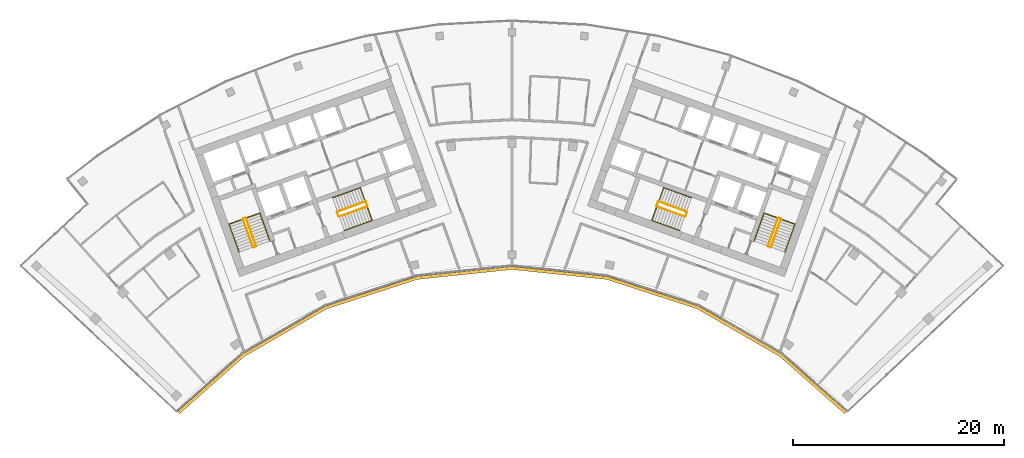
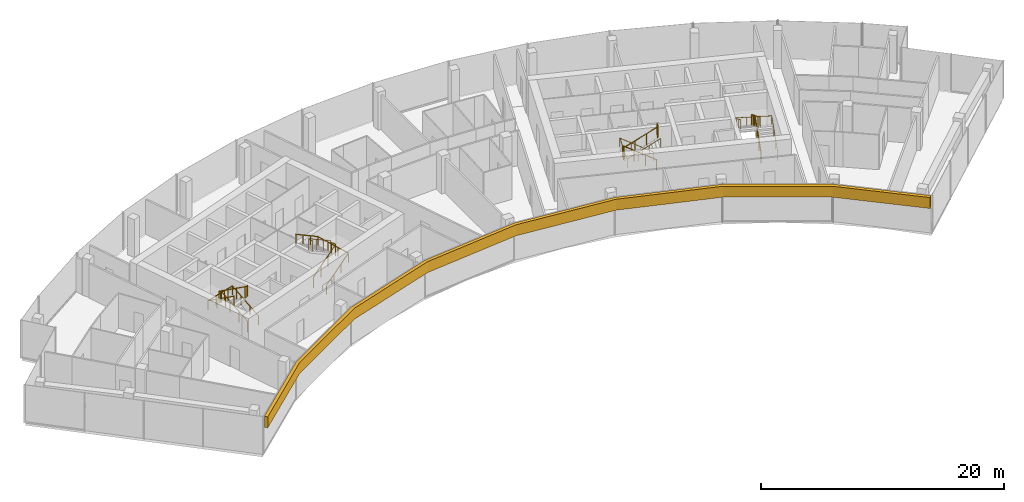
# One storey, part 18 of 18: 12 railings, 1 covering.
"""IFC4 building model written with IfcOpenShell, lengths in metres."""

from ifc_helpers import new_model, si_unit, direction, frame, origin, origin_2d, place, context, subcontext, project, spatial, polyline, circle, outline, extrude, material, layer, layer_set, type_object, element, save


model = new_model("IFC4")

# Units and contexts
model_context = context("Model", 3, precision=1e-05, world=origin(), true_north=direction((0.0, 1.0)))
body_context = subcontext(model_context, "Body", "Model", "MODEL_VIEW")
ifc_project = project(units=[si_unit("LENGTHUNIT", "METRE"), si_unit("AREAUNIT", "SQUARE_METRE"), si_unit("VOLUMEUNIT", "CUBIC_METRE"), si_unit("PLANEANGLEUNIT", "RADIAN"), si_unit("MASSUNIT", "GRAM", prefix="KILO")], contexts=[model_context])

# Site, building, storey
site_placement = place(None, origin())
site = spatial("IfcSite", under=ifc_project, at=site_placement, CompositionType="ELEMENT")
building_placement = place(site_placement, origin())
building = spatial("IfcBuilding", under=site, at=building_placement, Name="Stone Belt Terrace Tower", CompositionType="ELEMENT")
storey_placement = place(building_placement, frame((0.0, 0.0, 277.0)))
storey = spatial("IfcBuildingStorey", under=building, at=storey_placement, Name="L67", CompositionType="ELEMENT", Elevation=277.0)

# Railings
ifc_material_1 = material(Name="Structural steel C345", Category="steel")
railing_type_1 = type_object("IfcRailingType", Name="Stair guard 1100", PredefinedType="GUARDRAIL", material=ifc_material_1)
railing_1_placement = place(storey_placement, frame((-24.2119140625, 45.276123046875, 0.172607421875)))
element("IfcRailing", 1, at=railing_1_placement, inside=storey, type_object=railing_type_1, Name="L67 ST1A stair guard 1", PredefinedType="GUARDRAIL", context=body_context, shape_type="SweptSolid", body=[
    extrude(circle(Radius=0.02392578125, at=origin_2d()), frame((0.0, 0.0, 1.076171875), z_axis=(-0.288228637646, 0.800791768495, 0.525030280985), x_axis=(-0.940908529223, -0.338660803216, 0.0)), (0.0, 0.0, 1.0), 3.289794921875),
    extrude(circle(Radius=0.02392578125, at=origin_2d()), frame((-0.9482421875, 2.634521484375, 2.80322265625), z_axis=(-0.905209821074, 0.424964916, 0.0), x_axis=(-0.424964916, -0.905209821074, 0.0)), (0.0, 0.0, 1.0), 0.070556640625),
    extrude(circle(Radius=0.02392578125, at=origin_2d()), frame((-1.01220703125, 2.66455078125, 2.80322265625), z_axis=(-0.941105063269, -0.338114270461, 0.0), x_axis=(0.338114270461, -0.941105063269, 0.0)), (0.0, 0.0, 1.0), 0.199951171875),
    extrude(circle(Radius=0.02099609375, at=origin_2d()), origin(), (0.0, 0.0, 1.0), 1.052001953125),
    extrude(circle(Radius=0.02099609375, at=origin_2d()), frame((-0.316162109375, 0.878173828125, 0.57568359375)), (0.0, 0.0, 1.0), 1.052001953125),
    extrude(circle(Radius=0.02099609375, at=origin_2d()), frame((-0.632080078125, 1.75634765625, 1.151611328125)), (0.0, 0.0, 1.0), 1.052001953125),
    extrude(circle(Radius=0.02099609375, at=origin_2d()), frame((-0.9482421875, 2.634521484375, 1.727294921875)), (0.0, 0.0, 1.0), 1.052001953125),
    extrude(circle(Radius=0.02099609375, at=origin_2d()), frame((-1.01220703125, 2.66455078125, 1.727294921875)), (0.0, 0.0, 1.0), 1.052001953125),
    extrude(circle(Radius=0.02099609375, at=origin_2d()), frame((-1.200439453125, 2.596923828125, 1.727294921875)), (0.0, 0.0, 1.0), 1.052001953125),
])
railing_2_placement = place(storey_placement, frame((-25.4423828125, 47.80908203125, 2.07275390625)))
element("IfcRailing", 2, at=railing_2_placement, inside=storey, type_object=railing_type_1, Name="L67 ST1A stair guard 2", PredefinedType="GUARDRAIL", context=body_context, shape_type="SweptSolid", body=[
    extrude(circle(Radius=0.02392578125, at=origin_2d()), frame((0.0, 0.0, 1.076171875), z_axis=(0.288228637646, -0.800791768495, 0.525030280985), x_axis=(0.940908529223, 0.338660803216, 0.0)), (0.0, 0.0, 1.0), 3.289794921875),
    extrude(circle(Radius=0.02392578125, at=origin_2d()), frame((0.9482421875, -2.634521484375, 2.80322265625), z_axis=(0.903878284585, -0.427789722475, 0.0), x_axis=(0.427789722475, 0.903878284585, 0.0)), (0.0, 0.0, 1.0), 0.07080078125),
    extrude(circle(Radius=0.02392578125, at=origin_2d()), frame((1.01220703125, -2.664794921875, 2.80322265625), z_axis=(0.940575576748, 0.339584429008, 0.0), x_axis=(-0.339584429008, 0.940575576748, 0.0)), (0.0, 0.0, 1.0), 0.199951171875),
    extrude(circle(Radius=0.02099609375, at=origin_2d()), origin(), (0.0, 0.0, 1.0), 1.052001953125),
    extrude(circle(Radius=0.02099609375, at=origin_2d()), frame((0.316162109375, -0.878173828125, 0.57568359375)), (0.0, 0.0, 1.0), 1.052001953125),
    extrude(circle(Radius=0.02099609375, at=origin_2d()), frame((0.632080078125, -1.75634765625, 1.151611328125)), (0.0, 0.0, 1.0), 1.052001953125),
    extrude(circle(Radius=0.02099609375, at=origin_2d()), frame((0.9482421875, -2.634521484375, 1.727294921875)), (0.0, 0.0, 1.0), 1.052001953125),
    extrude(circle(Radius=0.02099609375, at=origin_2d()), frame((1.01220703125, -2.664794921875, 1.727294921875)), (0.0, 0.0, 1.0), 1.052001953125),
    extrude(circle(Radius=0.02099609375, at=origin_2d()), frame((1.2001953125, -2.596923828125, 1.727294921875)), (0.0, 0.0, 1.0), 1.052001953125),
])
railing_3_placement = place(storey_placement, frame((-16.33837890625, 48.056640625, 0.172607421875)))
element("IfcRailing", 3, at=railing_3_placement, inside=storey, type_object=railing_type_1, Name="L67 ST2A stair guard 1", PredefinedType="GUARDRAIL", context=body_context, shape_type="SweptSolid", body=[
    extrude(circle(Radius=0.02392578125, at=origin_2d()), frame((0.0, 0.0, 1.076171875), z_axis=(0.800808895155, 0.288160591223, 0.52504150989), x_axis=(-0.338583606334, 0.940936311087, 0.0)), (0.0, 0.0, 1.0), 3.289794921875),
    extrude(circle(Radius=0.02392578125, at=origin_2d()), frame((2.634521484375, 0.947998046875, 2.80322265625), z_axis=(0.427789722475, 0.903878284585, 0.0), x_axis=(-0.903878284585, 0.427789722475, 0.0)), (0.0, 0.0, 1.0), 0.07080078125),
    extrude(circle(Radius=0.02392578125, at=origin_2d()), frame((2.664794921875, 1.011962890625, 2.80322265625), z_axis=(-0.338654645739, 0.940910745459, 0.0), x_axis=(-0.940910745459, -0.338654645739, 0.0)), (0.0, 0.0, 1.0), 0.400146484375),
    extrude(circle(Radius=0.02099609375, at=origin_2d()), origin(), (0.0, 0.0, 1.0), 1.052001953125),
    extrude(circle(Radius=0.02099609375, at=origin_2d()), frame((0.878173828125, 0.31591796875, 0.57568359375)), (0.0, 0.0, 1.0), 1.052001953125),
    extrude(circle(Radius=0.02099609375, at=origin_2d()), frame((1.75634765625, 0.632080078125, 1.151611328125)), (0.0, 0.0, 1.0), 1.052001953125),
    extrude(circle(Radius=0.02099609375, at=origin_2d()), frame((2.634521484375, 0.947998046875, 1.727294921875)), (0.0, 0.0, 1.0), 1.052001953125),
    extrude(circle(Radius=0.02099609375, at=origin_2d()), frame((2.664794921875, 1.011962890625, 1.727294921875)), (0.0, 0.0, 1.0), 1.052001953125),
    extrude(circle(Radius=0.02099609375, at=origin_2d()), frame((2.529296875, 1.388427734375, 1.727294921875)), (0.0, 0.0, 1.0), 1.052001953125),
])
railing_4_placement = place(storey_placement, frame((-13.873046875, 49.47509765625, 2.07275390625)))
element("IfcRailing", 4, at=railing_4_placement, inside=storey, type_object=railing_type_1, Name="L67 ST2A stair guard 2", PredefinedType="GUARDRAIL", context=body_context, shape_type="SweptSolid", body=[
    extrude(circle(Radius=0.02392578125, at=origin_2d()), frame((0.0, 0.0, 1.076171875), z_axis=(-0.800808895155, -0.288160591223, 0.52504150989), x_axis=(0.338583606334, -0.940936311087, 0.0)), (0.0, 0.0, 1.0), 3.289794921875),
    extrude(circle(Radius=0.02392578125, at=origin_2d()), frame((-2.634521484375, -0.947998046875, 2.80322265625), z_axis=(-0.427789722475, -0.903878284585, 0.0), x_axis=(0.903878284585, -0.427789722475, 0.0)), (0.0, 0.0, 1.0), 0.07080078125),
    extrude(circle(Radius=0.02392578125, at=origin_2d()), frame((-2.664794921875, -1.011962890625, 2.80322265625), z_axis=(0.338654645739, -0.940910745459, 0.0), x_axis=(0.940910745459, 0.338654645739, 0.0)), (0.0, 0.0, 1.0), 0.400146484375),
    extrude(circle(Radius=0.02099609375, at=origin_2d()), origin(), (0.0, 0.0, 1.0), 1.052001953125),
    extrude(circle(Radius=0.02099609375, at=origin_2d()), frame((-0.878173828125, -0.31591796875, 0.57568359375)), (0.0, 0.0, 1.0), 1.052001953125),
    extrude(circle(Radius=0.02099609375, at=origin_2d()), frame((-1.75634765625, -0.632080078125, 1.151611328125)), (0.0, 0.0, 1.0), 1.052001953125),
    extrude(circle(Radius=0.02099609375, at=origin_2d()), frame((-2.634521484375, -0.947998046875, 1.727294921875)), (0.0, 0.0, 1.0), 1.052001953125),
    extrude(circle(Radius=0.02099609375, at=origin_2d()), frame((-2.664794921875, -1.011962890625, 1.727294921875)), (0.0, 0.0, 1.0), 1.052001953125),
    extrude(circle(Radius=0.02099609375, at=origin_2d()), frame((-2.529296875, -1.388427734375, 1.727294921875)), (0.0, 0.0, 1.0), 1.052001953125),
])
railing_5_placement = place(storey_placement, frame((24.494140625, 45.174560546875, 0.172607421875)))
element("IfcRailing", 5, at=railing_5_placement, inside=storey, type_object=railing_type_1, Name="L67 ST1B stair guard 1", PredefinedType="GUARDRAIL", context=body_context, shape_type="SweptSolid", body=[
    extrude(circle(Radius=0.02392578125, at=origin_2d()), frame((0.0, 0.0, 1.076171875), z_axis=(0.288228637646, 0.800791768495, 0.525030280985), x_axis=(-0.940908529223, 0.338660803216, 0.0)), (0.0, 0.0, 1.0), 3.289794921875),
    extrude(circle(Radius=0.02392578125, at=origin_2d()), frame((0.9482421875, 2.634521484375, 2.80322265625), z_axis=(-0.424964916, 0.905209821074, 0.0), x_axis=(-0.905209821074, -0.424964916, 0.0)), (0.0, 0.0, 1.0), 0.070556640625),
    extrude(circle(Radius=0.02392578125, at=origin_2d()), frame((0.918212890625, 2.698486328125, 2.80322265625), z_axis=(-0.941105063269, 0.338114270461, 0.0), x_axis=(-0.338114270461, -0.941105063269, 0.0)), (0.0, 0.0, 1.0), 0.199951171875),
    extrude(circle(Radius=0.02099609375, at=origin_2d()), origin(), (0.0, 0.0, 1.0), 1.052001953125),
    extrude(circle(Radius=0.02099609375, at=origin_2d()), frame((0.316162109375, 0.878173828125, 0.57568359375)), (0.0, 0.0, 1.0), 1.052001953125),
    extrude(circle(Radius=0.02099609375, at=origin_2d()), frame((0.632080078125, 1.75634765625, 1.151611328125)), (0.0, 0.0, 1.0), 1.052001953125),
    extrude(circle(Radius=0.02099609375, at=origin_2d()), frame((0.9482421875, 2.634521484375, 1.727294921875)), (0.0, 0.0, 1.0), 1.052001953125),
    extrude(circle(Radius=0.02099609375, at=origin_2d()), frame((0.918212890625, 2.698486328125, 1.727294921875)), (0.0, 0.0, 1.0), 1.052001953125),
    extrude(circle(Radius=0.02099609375, at=origin_2d()), frame((0.72998046875, 2.76611328125, 1.727294921875)), (0.0, 0.0, 1.0), 1.052001953125),
])
railing_6_placement = place(storey_placement, frame((25.16015625, 47.91064453125, 2.07275390625)))
element("IfcRailing", 6, at=railing_6_placement, inside=storey, type_object=railing_type_1, Name="L67 ST1B stair guard 2", PredefinedType="GUARDRAIL", context=body_context, shape_type="SweptSolid", body=[
    extrude(circle(Radius=0.02392578125, at=origin_2d()), frame((0.0, 0.0, 1.076171875), z_axis=(-0.288228637646, -0.800791768495, 0.525030280985), x_axis=(0.940908529223, -0.338660803216, 0.0)), (0.0, 0.0, 1.0), 3.289794921875),
    extrude(circle(Radius=0.02392578125, at=origin_2d()), frame((-0.9482421875, -2.634521484375, 2.80322265625), z_axis=(0.427789722475, -0.903878284585, 0.0), x_axis=(0.903878284585, 0.427789722475, 0.0)), (0.0, 0.0, 1.0), 0.07080078125),
    extrude(circle(Radius=0.02392578125, at=origin_2d()), frame((-0.91796875, -2.698486328125, 2.80322265625), z_axis=(0.940575576748, -0.339584429008, 0.0), x_axis=(0.339584429008, 0.940575576748, 0.0)), (0.0, 0.0, 1.0), 0.199951171875),
    extrude(circle(Radius=0.02099609375, at=origin_2d()), origin(), (0.0, 0.0, 1.0), 1.052001953125),
    extrude(circle(Radius=0.02099609375, at=origin_2d()), frame((-0.316162109375, -0.878173828125, 0.57568359375)), (0.0, 0.0, 1.0), 1.052001953125),
    extrude(circle(Radius=0.02099609375, at=origin_2d()), frame((-0.632080078125, -1.75634765625, 1.151611328125)), (0.0, 0.0, 1.0), 1.052001953125),
    extrude(circle(Radius=0.02099609375, at=origin_2d()), frame((-0.9482421875, -2.634521484375, 1.727294921875)), (0.0, 0.0, 1.0), 1.052001953125),
    extrude(circle(Radius=0.02099609375, at=origin_2d()), frame((-0.91796875, -2.698486328125, 1.727294921875)), (0.0, 0.0, 1.0), 1.052001953125),
    extrude(circle(Radius=0.02099609375, at=origin_2d()), frame((-0.72998046875, -2.766357421875, 1.727294921875)), (0.0, 0.0, 1.0), 1.052001953125),
])
railing_7_placement = place(storey_placement, frame((16.507568359375, 48.527099609375, 0.172607421875)))
element("IfcRailing", 7, at=railing_7_placement, inside=storey, type_object=railing_type_1, Name="L67 ST2B stair guard 1", PredefinedType="GUARDRAIL", context=body_context, shape_type="SweptSolid", body=[
    extrude(circle(Radius=0.02392578125, at=origin_2d()), frame((0.0, 0.0, 1.076171875), z_axis=(-0.800808895155, 0.288160591223, 0.52504150989), x_axis=(-0.338583606334, -0.940936311087, 0.0)), (0.0, 0.0, 1.0), 3.289794921875),
    extrude(circle(Radius=0.02392578125, at=origin_2d()), frame((-2.634521484375, 0.947998046875, 2.80322265625), z_axis=(-0.905209821074, -0.424964916, 0.0), x_axis=(0.424964916, -0.905209821074, 0.0)), (0.0, 0.0, 1.0), 0.070556640625),
    extrude(circle(Radius=0.02392578125, at=origin_2d()), frame((-2.698486328125, 0.91796875, 2.80322265625), z_axis=(-0.338654645739, -0.940910745459, 0.0), x_axis=(0.940910745459, -0.338654645739, 0.0)), (0.0, 0.0, 1.0), 0.400146484375),
    extrude(circle(Radius=0.02099609375, at=origin_2d()), origin(), (0.0, 0.0, 1.0), 1.052001953125),
    extrude(circle(Radius=0.02099609375, at=origin_2d()), frame((-0.878173828125, 0.31591796875, 0.57568359375)), (0.0, 0.0, 1.0), 1.052001953125),
    extrude(circle(Radius=0.02099609375, at=origin_2d()), frame((-1.75634765625, 0.632080078125, 1.151611328125)), (0.0, 0.0, 1.0), 1.052001953125),
    extrude(circle(Radius=0.02099609375, at=origin_2d()), frame((-2.634521484375, 0.947998046875, 1.727294921875)), (0.0, 0.0, 1.0), 1.052001953125),
    extrude(circle(Radius=0.02099609375, at=origin_2d()), frame((-2.698486328125, 0.91796875, 1.727294921875)), (0.0, 0.0, 1.0), 1.052001953125),
    extrude(circle(Radius=0.02099609375, at=origin_2d()), frame((-2.833984375, 0.54150390625, 1.727294921875)), (0.0, 0.0, 1.0), 1.052001953125),
])
railing_8_placement = place(storey_placement, frame((13.703857421875, 49.004638671875, 2.07275390625)))
element("IfcRailing", 8, at=railing_8_placement, inside=storey, type_object=railing_type_1, Name="L67 ST2B stair guard 2", PredefinedType="GUARDRAIL", context=body_context, shape_type="SweptSolid", body=[
    extrude(circle(Radius=0.02392578125, at=origin_2d()), frame((0.0, 0.0, 1.076171875), z_axis=(0.800808895155, -0.288160591223, 0.52504150989), x_axis=(0.338583606334, 0.940936311087, 0.0)), (0.0, 0.0, 1.0), 3.289794921875),
    extrude(circle(Radius=0.02392578125, at=origin_2d()), frame((2.634521484375, -0.947998046875, 2.80322265625), z_axis=(0.905209821074, 0.424964916, 0.0), x_axis=(-0.424964916, 0.905209821074, 0.0)), (0.0, 0.0, 1.0), 0.070556640625),
    extrude(circle(Radius=0.02392578125, at=origin_2d()), frame((2.698486328125, -0.91796875, 2.80322265625), z_axis=(0.338654645739, 0.940910745459, 0.0), x_axis=(-0.940910745459, 0.338654645739, 0.0)), (0.0, 0.0, 1.0), 0.400146484375),
    extrude(circle(Radius=0.02099609375, at=origin_2d()), origin(), (0.0, 0.0, 1.0), 1.052001953125),
    extrude(circle(Radius=0.02099609375, at=origin_2d()), frame((0.878173828125, -0.31591796875, 0.57568359375)), (0.0, 0.0, 1.0), 1.052001953125),
    extrude(circle(Radius=0.02099609375, at=origin_2d()), frame((1.75634765625, -0.632080078125, 1.151611328125)), (0.0, 0.0, 1.0), 1.052001953125),
    extrude(circle(Radius=0.02099609375, at=origin_2d()), frame((2.634521484375, -0.947998046875, 1.727294921875)), (0.0, 0.0, 1.0), 1.052001953125),
    extrude(circle(Radius=0.02099609375, at=origin_2d()), frame((2.698486328125, -0.91796875, 1.727294921875)), (0.0, 0.0, 1.0), 1.052001953125),
    extrude(circle(Radius=0.02099609375, at=origin_2d()), frame((2.833984375, -0.54150390625, 1.727294921875)), (0.0, 0.0, 1.0), 1.052001953125),
])
railing_type_2 = type_object("IfcRailingType", Name="Stair handrail 900", PredefinedType="HANDRAIL", material=ifc_material_1)
railing_9_placement = place(storey_placement, frame((-22.894775390625, 45.750244140625, 0.172607421875)))
element("IfcRailing", 9, at=railing_9_placement, inside=storey, type_object=railing_type_2, Name="L67 ST1A stair handrail 1", PredefinedType="HANDRAIL", context=body_context, shape_type="SweptSolid", body=[
    extrude(circle(Radius=0.02392578125, at=origin_2d()), frame((0.0, 0.0, 0.8759765625), z_axis=(-0.288160591223, 0.800808895155, 0.52504150989), x_axis=(-0.940936311087, -0.338583606334, 0.0)), (0.0, 0.0, 1.0), 3.289794921875),
    extrude(circle(Radius=0.02392578125, at=origin_2d()), frame((-0.947998046875, 2.634521484375, 2.60302734375), z_axis=(-0.939460408074, -0.338105101667, 0.055669398135), x_axis=(0.338630230244, -0.940919532779, 0.0)), (0.0, 0.0, 1.0), 3.10498046875),
    extrude(circle(Radius=0.02392578125, at=origin_2d()), frame((-3.864990234375, 1.584716796875, 2.77587890625), z_axis=(0.288228637646, -0.800791768495, 0.525030280985), x_axis=(0.940908529223, 0.338660803216, 0.0)), (0.0, 0.0, 1.0), 3.289794921875),
    extrude(circle(Radius=0.02099609375, at=origin_2d()), origin(), (0.0, 0.0, 1.0), 0.851806640625),
    extrude(circle(Radius=0.02099609375, at=origin_2d()), frame((-0.31591796875, 0.878173828125, 0.57568359375)), (0.0, 0.0, 1.0), 0.851806640625),
    extrude(circle(Radius=0.02099609375, at=origin_2d()), frame((-0.632080078125, 1.75634765625, 1.151611328125)), (0.0, 0.0, 1.0), 0.851806640625),
    extrude(circle(Radius=0.02099609375, at=origin_2d()), frame((-0.947998046875, 2.634521484375, 1.727294921875)), (0.0, 0.0, 1.0), 0.851806640625),
    extrude(circle(Radius=0.02099609375, at=origin_2d()), frame((-1.92041015625, 2.28466796875, 1.784912109375)), (0.0, 0.0, 1.0), 0.851806640625),
    extrude(circle(Radius=0.02099609375, at=origin_2d()), frame((-2.892578125, 1.9345703125, 1.842529296875)), (0.0, 0.0, 1.0), 0.851806640625),
    extrude(circle(Radius=0.02099609375, at=origin_2d()), frame((-3.864990234375, 1.584716796875, 1.900146484375)), (0.0, 0.0, 1.0), 0.851806640625),
    extrude(circle(Radius=0.02099609375, at=origin_2d()), frame((-3.548828125, 0.70654296875, 2.475830078125)), (0.0, 0.0, 1.0), 0.851806640625),
    extrude(circle(Radius=0.02099609375, at=origin_2d()), frame((-3.23291015625, -0.171630859375, 3.0517578125)), (0.0, 0.0, 1.0), 0.851806640625),
    extrude(circle(Radius=0.02099609375, at=origin_2d()), frame((-2.916748046875, -1.0498046875, 3.62744140625)), (0.0, 0.0, 1.0), 0.851806640625),
])
railing_10_placement = place(storey_placement, frame((-15.8642578125, 46.7392578125, 0.172607421875)))
element("IfcRailing", 10, at=railing_10_placement, inside=storey, type_object=railing_type_2, Name="L67 ST2A stair handrail 1", PredefinedType="HANDRAIL", context=body_context, shape_type="SweptSolid", body=[
    extrude(circle(Radius=0.02392578125, at=origin_2d()), frame((0.0, 0.0, 0.8759765625), z_axis=(0.800791768495, 0.288228637646, 0.525030280985), x_axis=(-0.338660803216, 0.940908529223, 0.0)), (0.0, 0.0, 1.0), 3.289794921875),
    extrude(circle(Radius=0.02392578125, at=origin_2d()), frame((2.634521484375, 0.9482421875, 2.60302734375), z_axis=(-0.338158948057, 0.939634149308, 0.052308615955), x_axis=(-0.940922302781, -0.338622533404, 0.0)), (0.0, 0.0, 1.0), 3.304443359375),
    extrude(circle(Radius=0.02392578125, at=origin_2d()), frame((1.51708984375, 4.05322265625, 2.77587890625), z_axis=(-0.800791768495, -0.288228637646, 0.525030280985), x_axis=(0.338660803216, -0.940908529223, 0.0)), (0.0, 0.0, 1.0), 3.289794921875),
    extrude(circle(Radius=0.02099609375, at=origin_2d()), origin(), (0.0, 0.0, 1.0), 0.851806640625),
    extrude(circle(Radius=0.02099609375, at=origin_2d()), frame((0.878173828125, 0.316162109375, 0.57568359375)), (0.0, 0.0, 1.0), 0.851806640625),
    extrude(circle(Radius=0.02099609375, at=origin_2d()), frame((1.75634765625, 0.632080078125, 1.151611328125)), (0.0, 0.0, 1.0), 0.851806640625),
    extrude(circle(Radius=0.02099609375, at=origin_2d()), frame((2.634521484375, 0.9482421875, 1.727294921875)), (0.0, 0.0, 1.0), 0.851806640625),
    extrude(circle(Radius=0.02099609375, at=origin_2d()), frame((2.261962890625, 1.983154296875, 1.784912109375)), (0.0, 0.0, 1.0), 0.851806640625),
    extrude(circle(Radius=0.02099609375, at=origin_2d()), frame((1.8896484375, 3.018310546875, 1.842529296875)), (0.0, 0.0, 1.0), 0.851806640625),
    extrude(circle(Radius=0.02099609375, at=origin_2d()), frame((1.51708984375, 4.05322265625, 1.900146484375)), (0.0, 0.0, 1.0), 0.851806640625),
    extrude(circle(Radius=0.02099609375, at=origin_2d()), frame((0.638916015625, 3.737060546875, 2.475830078125)), (0.0, 0.0, 1.0), 0.851806640625),
    extrude(circle(Radius=0.02099609375, at=origin_2d()), frame((-0.2392578125, 3.421142578125, 3.0517578125)), (0.0, 0.0, 1.0), 0.851806640625),
    extrude(circle(Radius=0.02099609375, at=origin_2d()), frame((-1.117431640625, 3.10498046875, 3.62744140625)), (0.0, 0.0, 1.0), 0.851806640625),
])
railing_11_placement = place(storey_placement, frame((25.8115234375, 44.700439453125, 0.172607421875)))
element("IfcRailing", 11, at=railing_11_placement, inside=storey, type_object=railing_type_2, Name="L67 ST1B stair handrail 1", PredefinedType="HANDRAIL", context=body_context, shape_type="SweptSolid", body=[
    extrude(circle(Radius=0.02392578125, at=origin_2d()), frame((0.0, 0.0, 0.8759765625), z_axis=(0.288228637646, 0.800791768495, 0.525030280985), x_axis=(-0.940908529223, 0.338660803216, 0.0)), (0.0, 0.0, 1.0), 3.289794921875),
    extrude(circle(Radius=0.02392578125, at=origin_2d()), frame((0.9482421875, 2.634521484375, 2.60302734375), z_axis=(-0.939460408074, 0.338105101667, 0.055669398135), x_axis=(-0.338630230244, -0.940919532779, 0.0)), (0.0, 0.0, 1.0), 3.10498046875),
    extrude(circle(Radius=0.02392578125, at=origin_2d()), frame((-1.96875, 3.684326171875, 2.77587890625), z_axis=(-0.288160591223, -0.800808895155, 0.52504150989), x_axis=(0.940936311087, -0.338583606334, 0.0)), (0.0, 0.0, 1.0), 3.289794921875),
    extrude(circle(Radius=0.02099609375, at=origin_2d()), origin(), (0.0, 0.0, 1.0), 0.851806640625),
    extrude(circle(Radius=0.02099609375, at=origin_2d()), frame((0.316162109375, 0.878173828125, 0.57568359375)), (0.0, 0.0, 1.0), 0.851806640625),
    extrude(circle(Radius=0.02099609375, at=origin_2d()), frame((0.632080078125, 1.75634765625, 1.151611328125)), (0.0, 0.0, 1.0), 0.851806640625),
    extrude(circle(Radius=0.02099609375, at=origin_2d()), frame((0.9482421875, 2.634521484375, 1.727294921875)), (0.0, 0.0, 1.0), 0.851806640625),
    extrude(circle(Radius=0.02099609375, at=origin_2d()), frame((-0.024169921875, 2.984375, 1.784912109375)), (0.0, 0.0, 1.0), 0.851806640625),
    extrude(circle(Radius=0.02099609375, at=origin_2d()), frame((-0.996337890625, 3.33447265625, 1.842529296875)), (0.0, 0.0, 1.0), 0.851806640625),
    extrude(circle(Radius=0.02099609375, at=origin_2d()), frame((-1.96875, 3.684326171875, 1.900146484375)), (0.0, 0.0, 1.0), 0.851806640625),
    extrude(circle(Radius=0.02099609375, at=origin_2d()), frame((-2.28466796875, 2.80615234375, 2.475830078125)), (0.0, 0.0, 1.0), 0.851806640625),
    extrude(circle(Radius=0.02099609375, at=origin_2d()), frame((-2.600830078125, 1.927978515625, 3.0517578125)), (0.0, 0.0, 1.0), 0.851806640625),
    extrude(circle(Radius=0.02099609375, at=origin_2d()), frame((-2.916748046875, 1.0498046875, 3.62744140625)), (0.0, 0.0, 1.0), 0.851806640625),
])
railing_12_placement = place(storey_placement, frame((16.981689453125, 49.84423828125, 0.172607421875)))
element("IfcRailing", 12, at=railing_12_placement, inside=storey, type_object=railing_type_2, Name="L67 ST2B stair handrail 1", PredefinedType="HANDRAIL", context=body_context, shape_type="SweptSolid", body=[
    extrude(circle(Radius=0.02392578125, at=origin_2d()), frame((0.0, 0.0, 0.8759765625), z_axis=(-0.800791768495, 0.288228637646, 0.525030280985), x_axis=(-0.338660803216, -0.940908529223, 0.0)), (0.0, 0.0, 1.0), 3.289794921875),
    extrude(circle(Radius=0.02392578125, at=origin_2d()), frame((-2.634521484375, 0.9482421875, 2.60302734375), z_axis=(-0.338158948057, -0.939634149308, 0.052308615955), x_axis=(0.940922302781, -0.338622533404, 0.0)), (0.0, 0.0, 1.0), 3.304443359375),
    extrude(circle(Radius=0.02392578125, at=origin_2d()), frame((-3.751953125, -2.15673828125, 2.77587890625), z_axis=(0.800791768495, -0.288228637646, 0.525030280985), x_axis=(0.338660803216, 0.940908529223, 0.0)), (0.0, 0.0, 1.0), 3.289794921875),
    extrude(circle(Radius=0.02099609375, at=origin_2d()), origin(), (0.0, 0.0, 1.0), 0.851806640625),
    extrude(circle(Radius=0.02099609375, at=origin_2d()), frame((-0.878173828125, 0.316162109375, 0.57568359375)), (0.0, 0.0, 1.0), 0.851806640625),
    extrude(circle(Radius=0.02099609375, at=origin_2d()), frame((-1.75634765625, 0.632080078125, 1.151611328125)), (0.0, 0.0, 1.0), 0.851806640625),
    extrude(circle(Radius=0.02099609375, at=origin_2d()), frame((-2.634521484375, 0.9482421875, 1.727294921875)), (0.0, 0.0, 1.0), 0.851806640625),
    extrude(circle(Radius=0.02099609375, at=origin_2d()), frame((-3.007080078125, -0.086669921875, 1.784912109375)), (0.0, 0.0, 1.0), 0.851806640625),
    extrude(circle(Radius=0.02099609375, at=origin_2d()), frame((-3.37939453125, -1.121826171875, 1.842529296875)), (0.0, 0.0, 1.0), 0.851806640625),
    extrude(circle(Radius=0.02099609375, at=origin_2d()), frame((-3.751953125, -2.15673828125, 1.900146484375)), (0.0, 0.0, 1.0), 0.851806640625),
    extrude(circle(Radius=0.02099609375, at=origin_2d()), frame((-2.873779296875, -2.472900390625, 2.475830078125)), (0.0, 0.0, 1.0), 0.851806640625),
    extrude(circle(Radius=0.02099609375, at=origin_2d()), frame((-1.99560546875, -2.788818359375, 3.0517578125)), (0.0, 0.0, 1.0), 0.851806640625),
    extrude(circle(Radius=0.02099609375, at=origin_2d()), frame((-1.117431640625, -3.10498046875, 3.62744140625)), (0.0, 0.0, 1.0), 0.851806640625),
])

# Covering
ifc_material_2 = material(Name="Terracotta coloured glazed ceramic", Category="masonry")
ifc_layer = layer(ifc_material_2, 0.300048828125)
ifc_layer_set = layer_set([ifc_layer], Name="Terracotta spandrel band 300 x 1100")
covering_type = type_object("IfcCoveringType", Name="Terracotta spandrel band 300 x 1100", PredefinedType="CLADDING", material=ifc_layer_set)
covering_placement = place(storey_placement, frame((0.0, 0.0, 2.699951171875)))
element("IfcCovering", 13, at=covering_placement, inside=storey, type_object=covering_type, Name="BAND L67", PredefinedType="CLADDING", context=body_context, shape_type="SweptSolid", body=[
    extrude(outline(polyline([(-31.651611328125, 29.6220703125), (-25.480712890625, 35.06982421875), (-17.631591796875, 39.6015625), (-9.0126953125, 42.40185546875), (0.0, 43.34912109375), (9.0126953125, 42.40185546875), (17.631591796875, 39.6015625), (25.480712890625, 35.06982421875), (31.651611328125, 29.6220703125), (31.453125, 29.39697265625), (25.3046875, 34.824951171875), (17.509033203125, 39.325927734375), (8.9501953125, 42.10693359375), (0.0, 43.047607421875), (-8.9501953125, 42.10693359375), (-17.509033203125, 39.325927734375), (-25.3046875, 34.824951171875), (-31.453125, 29.39697265625), (-31.651611328125, 29.6220703125)])), origin(), (0.0, 0.0, 1.0), 1.10009765625),
])

save(model, "model.ifc")
